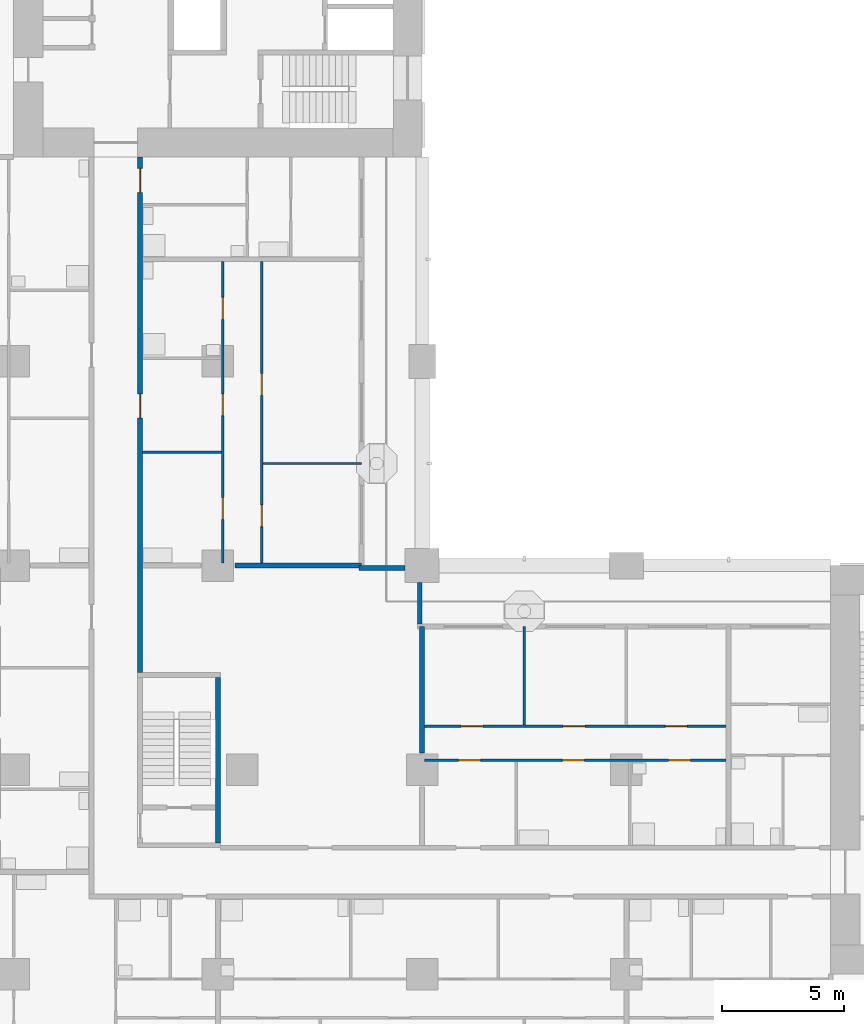
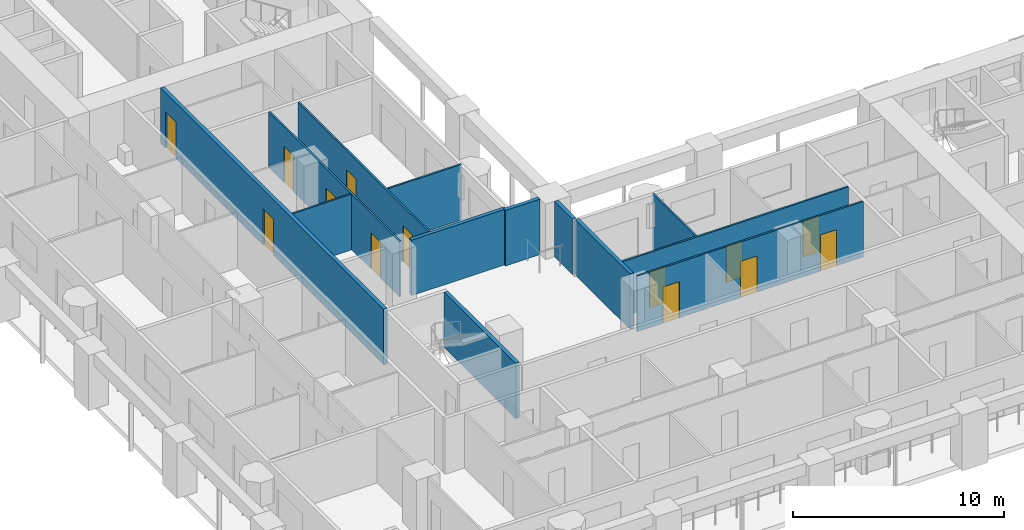
# One storey, part 4 of 20: 13 doors, 13 walls, 13 openings.
"""IFC4 building model written with IfcOpenShell, lengths in metres."""

from ifc_helpers import new_model, si_unit, direction, frame, frame_2d, origin, place, context, subcontext, project, spatial, rectangle, extrude, material, layer, layer_set, type_object, element, fill, save


model = new_model("IFC4")

# Units and contexts
model_context = context("Model", 3, precision=1e-05, world=origin(), true_north=direction((0.0, 1.0)))
body_context = subcontext(model_context, "Body", "Model", "MODEL_VIEW")
ifc_project = project(units=[si_unit("LENGTHUNIT", "METRE"), si_unit("AREAUNIT", "SQUARE_METRE"), si_unit("VOLUMEUNIT", "CUBIC_METRE"), si_unit("PLANEANGLEUNIT", "RADIAN"), si_unit("MASSUNIT", "GRAM", prefix="KILO")], contexts=[model_context])

# Site, building, storey
site_placement = place(None, origin())
site = spatial("IfcSite", under=ifc_project, at=site_placement, CompositionType="ELEMENT")
building_placement = place(site_placement, origin())
building = spatial("IfcBuilding", under=site, at=building_placement, Name="Vermilion Gate Residences", CompositionType="ELEMENT")
storey_placement = place(building_placement, frame((0.0, 0.0, 39.199951171875)))
storey = spatial("IfcBuildingStorey", under=building, at=storey_placement, Name="L08", CompositionType="ELEMENT", Elevation=39.199951171875)

# Walls
ifc_material_1 = material(Name="Insulated steel stud wall with terracotta rainscreen", Category="masonry")
ifc_layer_1 = layer(ifc_material_1, 0.199951171875)
ifc_layer_set_1 = layer_set([ifc_layer_1], Name="EXTERNAL WALL 200 TERRACOTTA RAINSCREEN")
wall_type_1 = type_object("IfcWallType", Name="EXTERNAL WALL 200 TERRACOTTA RAINSCREEN", PredefinedType="SOLIDWALL", material=ifc_layer_set_1)
wall_1_placement = place(storey_placement, frame((25.10009765625, 22.800048828125, 0.0), z_axis=(0.0, 0.0, 1.0), x_axis=(0.0, 1.0, 0.0)))
element("IfcWall", 1, at=wall_1_placement, inside=storey, type_object=wall_type_1, Name="External wall", PredefinedType="SOLIDWALL", context=body_context, shape_type="SweptSolid", body=[
    extrude(rectangle(XDim=1.699951171875, YDim=0.199951171875, at=frame_2d((0.85009765625, 0.0))), origin(), (0.0, 0.0, 1.0), 3.219970703125),
])
wall_2_placement = place(storey_placement, frame((24.5, 25.10009765625, 0.0), z_axis=(0.0, 0.0, 1.0), x_axis=(-1.0, 0.0, 0.0)))
element("IfcWall", 2, at=wall_2_placement, inside=storey, type_object=wall_type_1, Name="External wall", PredefinedType="SOLIDWALL", context=body_context, shape_type="SweptSolid", body=[
    extrude(rectangle(XDim=1.89990234375, YDim=0.199951171875, at=frame_2d((0.949951171875, 0.0))), origin(), (0.0, 0.0, 1.0), 3.219970703125),
])

# Wall, openings, doors
ifc_material_2 = material(Name="Plasterboard on steel studs", Category="steel")
ifc_layer_2 = layer(ifc_material_2, 0.10009765625)
ifc_layer_set_2 = layer_set([ifc_layer_2], Name="PARTITION 100")
wall_type_2 = type_object("IfcWallType", Name="PARTITION 100", PredefinedType="PARTITIONING", material=ifc_layer_set_2)
wall_3_placement = place(storey_placement, frame((25.300048828125, 17.199951171875, 0.0), z_axis=(0.0, 0.0, 1.0), x_axis=(1.0, 0.0, 0.0)))
wall_3 = element("IfcWall", 3, at=wall_3_placement, inside=storey, type_object=wall_type_2, Name="Partition", PredefinedType="PARTITIONING", context=body_context, shape_type="SweptSolid", body=[
    extrude(rectangle(XDim=12.39990234375, YDim=0.10009765625, at=frame_2d((6.199951171875, 0.0))), origin(), (0.0, 0.0, 1.0), 3.219970703125),
])
opening_1_placement = place(wall_3_placement, frame((1.39990234375, 0.0, 0.0)))
opening_1 = element("IfcOpeningElement", 4, at=opening_1_placement, cuts=wall_3, Name="Opening DA07027", PredefinedType="OPENING", context=body_context, shape_type="SweptSolid", body=[
    extrude(rectangle(XDim=0.89990234375, YDim=2.10009765625, at=frame_2d((0.449951171875, 1.050048828125))), frame((0.0, 0.06005859375, 0.0), z_axis=(0.0, -1.0, 0.0), x_axis=(1.0, 0.0, 0.0)), (0.0, 0.0, 1.0), 0.1201171875),
])
opening_2_placement = place(wall_3_placement, frame((5.6669921875, 0.0, 0.0)))
opening_2 = element("IfcOpeningElement", 5, at=opening_2_placement, cuts=wall_3, Name="Opening DA07028", PredefinedType="OPENING", context=body_context, shape_type="SweptSolid", body=[
    extrude(rectangle(XDim=0.89990234375, YDim=2.10009765625, at=frame_2d((0.449951171875, 1.050048828125))), frame((0.0, 0.06005859375, 0.0), z_axis=(0.0, -1.0, 0.0), x_axis=(1.0, 0.0, 0.0)), (0.0, 0.0, 1.0), 0.1201171875),
])
opening_3_placement = place(wall_3_placement, frame((10.032958984375, 0.0, 0.0)))
opening_3 = element("IfcOpeningElement", 6, at=opening_3_placement, cuts=wall_3, Name="Opening DA07029", PredefinedType="OPENING", context=body_context, shape_type="SweptSolid", body=[
    extrude(rectangle(XDim=0.89990234375, YDim=2.10009765625, at=frame_2d((0.449951171875, 1.050048828125))), frame((0.0, 0.06005859375, 0.0), z_axis=(0.0, -1.0, 0.0), x_axis=(1.0, 0.0, 0.0)), (0.0, 0.0, 1.0), 0.1201171875),
])
ifc_material_3 = material(Name="Timber", Category="wood")
door_type_1 = type_object("IfcDoorType", Name="INTERIOR DOOR 900 X 2100", OperationType="SINGLE_SWING_LEFT", PredefinedType="DOOR", material=ifc_material_3)
door_1_placement = place(opening_1_placement, frame((0.89990234375, 0.0, 0.0), z_axis=(0.0, 0.0, 1.0), x_axis=(-1.0, 0.0, 0.0)))
door_1 = element("IfcDoor", 7, at=door_1_placement, inside=storey, type_object=door_type_1, Name="Interior door", OperationType="SINGLE_SWING_RIGHT", OverallHeight=2.10009765625, OverallWidth=0.89990234375, PredefinedType="DOOR", context=body_context, shape_type="SweptSolid", body=[
    extrude(rectangle(XDim=0.89990234375, YDim=2.10009765625, at=frame_2d((0.449951171875, 1.050048828125))), frame((0.0, 0.02490234375, 0.0), z_axis=(0.0, -1.0, 0.0), x_axis=(1.0, 0.0, 0.0)), (0.0, 0.0, 1.0), 0.050048828125),
])
fill(opening_1, door_1)
door_2_placement = place(opening_2_placement, frame((0.89990234375, 0.0, 0.0), z_axis=(0.0, 0.0, 1.0), x_axis=(-1.0, 0.0, 0.0)))
door_2 = element("IfcDoor", 8, at=door_2_placement, inside=storey, type_object=door_type_1, Name="Interior door", OperationType="SINGLE_SWING_LEFT", OverallHeight=2.10009765625, OverallWidth=0.89990234375, PredefinedType="DOOR", context=body_context, shape_type="SweptSolid", body=[
    extrude(rectangle(XDim=0.89990234375, YDim=2.10009765625, at=frame_2d((0.449951171875, 1.050048828125))), frame((0.0, 0.02490234375, 0.0), z_axis=(0.0, -1.0, 0.0), x_axis=(1.0, 0.0, 0.0)), (0.0, 0.0, 1.0), 0.050048828125),
])
fill(opening_2, door_2)
door_3_placement = place(opening_3_placement, frame((0.89990234375, 0.0, 0.0), z_axis=(0.0, 0.0, 1.0), x_axis=(-1.0, 0.0, 0.0)))
door_3 = element("IfcDoor", 9, at=door_3_placement, inside=storey, type_object=door_type_1, Name="Interior door", OperationType="SINGLE_SWING_RIGHT", OverallHeight=2.10009765625, OverallWidth=0.89990234375, PredefinedType="DOOR", context=body_context, shape_type="SweptSolid", body=[
    extrude(rectangle(XDim=0.89990234375, YDim=2.10009765625, at=frame_2d((0.449951171875, 1.050048828125))), frame((0.0, 0.02490234375, 0.0), z_axis=(0.0, -1.0, 0.0), x_axis=(1.0, 0.0, 0.0)), (0.0, 0.0, 1.0), 0.050048828125),
])
fill(opening_3, door_3)

wall_4_placement = place(storey_placement, frame((25.300048828125, 18.60009765625, 0.0), z_axis=(0.0, 0.0, 1.0), x_axis=(1.0, 0.0, 0.0)))
wall_4 = element("IfcWall", 10, at=wall_4_placement, inside=storey, type_object=wall_type_2, Name="Partition", PredefinedType="PARTITIONING", context=body_context, shape_type="SweptSolid", body=[
    extrude(rectangle(XDim=12.39990234375, YDim=0.10009765625, at=frame_2d((6.199951171875, 0.0))), origin(), (0.0, 0.0, 1.0), 3.219970703125),
])
opening_4_placement = place(wall_4_placement, frame((1.5, 0.0, 0.0)))
opening_4 = element("IfcOpeningElement", 11, at=opening_4_placement, cuts=wall_4, Name="Opening DA07032", PredefinedType="OPENING", context=body_context, shape_type="SweptSolid", body=[
    extrude(rectangle(XDim=0.89990234375, YDim=2.10009765625, at=frame_2d((0.449951171875, 1.050048828125))), frame((0.0, 0.06005859375, 0.0), z_axis=(0.0, -1.0, 0.0), x_axis=(1.0, 0.0, 0.0)), (0.0, 0.0, 1.0), 0.1201171875),
])
opening_5_placement = place(wall_4_placement, frame((5.699951171875, 0.0, 0.0)))
opening_5 = element("IfcOpeningElement", 12, at=opening_5_placement, cuts=wall_4, Name="Opening DA07033", PredefinedType="OPENING", context=body_context, shape_type="SweptSolid", body=[
    extrude(rectangle(XDim=0.89990234375, YDim=2.10009765625, at=frame_2d((0.449951171875, 1.050048828125))), frame((0.0, 0.06005859375, 0.0), z_axis=(0.0, -1.0, 0.0), x_axis=(1.0, 0.0, 0.0)), (0.0, 0.0, 1.0), 0.1201171875),
])
opening_6_placement = place(wall_4_placement, frame((9.89990234375, 0.0, 0.0)))
opening_6 = element("IfcOpeningElement", 13, at=opening_6_placement, cuts=wall_4, Name="Opening DA07034", PredefinedType="OPENING", context=body_context, shape_type="SweptSolid", body=[
    extrude(rectangle(XDim=0.89990234375, YDim=2.10009765625, at=frame_2d((0.449951171875, 1.050048828125))), frame((0.0, 0.06005859375, 0.0), z_axis=(0.0, -1.0, 0.0), x_axis=(1.0, 0.0, 0.0)), (0.0, 0.0, 1.0), 0.1201171875),
])
door_4_placement = place(opening_4_placement, origin())
door_4 = element("IfcDoor", 14, at=door_4_placement, inside=storey, type_object=door_type_1, Name="Interior door", OperationType="SINGLE_SWING_LEFT", OverallHeight=2.10009765625, OverallWidth=0.89990234375, PredefinedType="DOOR", context=body_context, shape_type="SweptSolid", body=[
    extrude(rectangle(XDim=0.89990234375, YDim=2.10009765625, at=frame_2d((0.449951171875, 1.050048828125))), frame((0.0, 0.02490234375, 0.0), z_axis=(0.0, -1.0, 0.0), x_axis=(1.0, 0.0, 0.0)), (0.0, 0.0, 1.0), 0.050048828125),
])
fill(opening_4, door_4)
door_5_placement = place(opening_5_placement, origin())
door_5 = element("IfcDoor", 15, at=door_5_placement, inside=storey, type_object=door_type_1, Name="Interior door", OperationType="SINGLE_SWING_LEFT", OverallHeight=2.10009765625, OverallWidth=0.89990234375, PredefinedType="DOOR", context=body_context, shape_type="SweptSolid", body=[
    extrude(rectangle(XDim=0.89990234375, YDim=2.10009765625, at=frame_2d((0.449951171875, 1.050048828125))), frame((0.0, 0.02490234375, 0.0), z_axis=(0.0, -1.0, 0.0), x_axis=(1.0, 0.0, 0.0)), (0.0, 0.0, 1.0), 0.050048828125),
])
fill(opening_5, door_5)
door_6_placement = place(opening_6_placement, origin())
door_6 = element("IfcDoor", 16, at=door_6_placement, inside=storey, type_object=door_type_1, Name="Interior door", OperationType="SINGLE_SWING_LEFT", OverallHeight=2.10009765625, OverallWidth=0.89990234375, PredefinedType="DOOR", context=body_context, shape_type="SweptSolid", body=[
    extrude(rectangle(XDim=0.89990234375, YDim=2.10009765625, at=frame_2d((0.449951171875, 1.050048828125))), frame((0.0, 0.02490234375, 0.0), z_axis=(0.0, -1.0, 0.0), x_axis=(1.0, 0.0, 0.0)), (0.0, 0.0, 1.0), 0.050048828125),
])
fill(opening_6, door_6)

# Walls
wall_5_placement = place(storey_placement, frame((18.64990234375, 29.39990234375, 0.0), z_axis=(0.0, 0.0, 1.0), x_axis=(1.0, 0.0, 0.0)))
element("IfcWall", 17, at=wall_5_placement, inside=storey, type_object=wall_type_2, Name="Partition", PredefinedType="PARTITIONING", context=body_context, shape_type="SweptSolid", body=[
    extrude(rectangle(XDim=4.050048828125, YDim=0.10009765625, at=frame_2d((2.02490234375, 0.0))), origin(), (0.0, 0.0, 1.0), 3.219970703125),
])
wall_6_placement = place(storey_placement, frame((13.699951171875, 29.866943359375, 0.0), z_axis=(0.0, 0.0, 1.0), x_axis=(1.0, 0.0, 0.0)))
element("IfcWall", 18, at=wall_6_placement, inside=storey, type_object=wall_type_2, Name="Partition", PredefinedType="PARTITIONING", context=body_context, shape_type="SweptSolid", body=[
    extrude(rectangle(XDim=3.25, YDim=0.10009765625, at=frame_2d((1.625, 0.0))), origin(), (0.0, 0.0, 1.0), 3.219970703125),
])

# Wall, openings, doors
wall_7_placement = place(storey_placement, frame((17.0, 25.300048828125, 0.0), z_axis=(0.0, 0.0, 1.0), x_axis=(0.0, 1.0, 0.0)))
wall_7 = element("IfcWall", 19, at=wall_7_placement, inside=storey, type_object=wall_type_2, Name="Partition", PredefinedType="PARTITIONING", context=body_context, shape_type="SweptSolid", body=[
    extrude(rectangle(XDim=12.39990234375, YDim=0.10009765625, at=frame_2d((6.199951171875, 0.0))), origin(), (0.0, 0.0, 1.0), 3.219970703125),
])
opening_7_placement = place(wall_7_placement, frame((6.06689453125, 0.0, 0.0)))
opening_7 = element("IfcOpeningElement", 20, at=opening_7_placement, cuts=wall_7, Name="Opening DA07057", PredefinedType="OPENING", context=body_context, shape_type="SweptSolid", body=[
    extrude(rectangle(XDim=0.89990234375, YDim=2.10009765625, at=frame_2d((0.449951171875, 1.050048828125))), frame((0.0, 0.06005859375, 0.0), z_axis=(0.0, -1.0, 0.0), x_axis=(1.0, 0.0, 0.0)), (0.0, 0.0, 1.0), 0.1201171875),
])
opening_8_placement = place(wall_7_placement, frame((1.800048828125, 0.0, 0.0)))
opening_8 = element("IfcOpeningElement", 21, at=opening_8_placement, cuts=wall_7, Name="Opening DA07058", PredefinedType="OPENING", context=body_context, shape_type="SweptSolid", body=[
    extrude(rectangle(XDim=0.89990234375, YDim=2.10009765625, at=frame_2d((0.449951171875, 1.050048828125))), frame((0.0, 0.06005859375, 0.0), z_axis=(0.0, -1.0, 0.0), x_axis=(1.0, 0.0, 0.0)), (0.0, 0.0, 1.0), 0.1201171875),
])
opening_9_placement = place(wall_7_placement, frame((10.032958984375, 0.0, 0.0)))
opening_9 = element("IfcOpeningElement", 22, at=opening_9_placement, cuts=wall_7, Name="Opening DA07059", PredefinedType="OPENING", context=body_context, shape_type="SweptSolid", body=[
    extrude(rectangle(XDim=0.89990234375, YDim=2.10009765625, at=frame_2d((0.449951171875, 1.050048828125))), frame((0.0, 0.06005859375, 0.0), z_axis=(0.0, -1.0, 0.0), x_axis=(1.0, 0.0, 0.0)), (0.0, 0.0, 1.0), 0.1201171875),
])
door_7_placement = place(opening_7_placement, origin())
door_7 = element("IfcDoor", 23, at=door_7_placement, inside=storey, type_object=door_type_1, Name="Interior door", OperationType="SINGLE_SWING_RIGHT", OverallHeight=2.10009765625, OverallWidth=0.89990234375, PredefinedType="DOOR", context=body_context, shape_type="SweptSolid", body=[
    extrude(rectangle(XDim=0.89990234375, YDim=2.10009765625, at=frame_2d((0.449951171875, 1.050048828125))), frame((0.0, 0.02490234375, 0.0), z_axis=(0.0, -1.0, 0.0), x_axis=(1.0, 0.0, 0.0)), (0.0, 0.0, 1.0), 0.050048828125),
])
fill(opening_7, door_7)
door_8_placement = place(opening_8_placement, origin())
door_8 = element("IfcDoor", 24, at=door_8_placement, inside=storey, type_object=door_type_1, Name="Interior door", OperationType="SINGLE_SWING_LEFT", OverallHeight=2.10009765625, OverallWidth=0.89990234375, PredefinedType="DOOR", context=body_context, shape_type="SweptSolid", body=[
    extrude(rectangle(XDim=0.89990234375, YDim=2.10009765625, at=frame_2d((0.449951171875, 1.050048828125))), frame((0.0, 0.02490234375, 0.0), z_axis=(0.0, -1.0, 0.0), x_axis=(1.0, 0.0, 0.0)), (0.0, 0.0, 1.0), 0.050048828125),
])
fill(opening_8, door_8)
door_9_placement = place(opening_9_placement, origin())
door_9 = element("IfcDoor", 25, at=door_9_placement, inside=storey, type_object=door_type_1, Name="Interior door", OperationType="SINGLE_SWING_LEFT", OverallHeight=2.10009765625, OverallWidth=0.89990234375, PredefinedType="DOOR", context=body_context, shape_type="SweptSolid", body=[
    extrude(rectangle(XDim=0.89990234375, YDim=2.10009765625, at=frame_2d((0.449951171875, 1.050048828125))), frame((0.0, 0.02490234375, 0.0), z_axis=(0.0, -1.0, 0.0), x_axis=(1.0, 0.0, 0.0)), (0.0, 0.0, 1.0), 0.050048828125),
])
fill(opening_9, door_9)

wall_8_placement = place(storey_placement, frame((18.60009765625, 25.300048828125, 0.0), z_axis=(0.0, 0.0, 1.0), x_axis=(0.0, 1.0, 0.0)))
wall_8 = element("IfcWall", 26, at=wall_8_placement, inside=storey, type_object=wall_type_2, Name="Partition", PredefinedType="PARTITIONING", context=body_context, shape_type="SweptSolid", body=[
    extrude(rectangle(XDim=12.39990234375, YDim=0.10009765625, at=frame_2d((6.199951171875, 0.0))), origin(), (0.0, 0.0, 1.0), 3.219970703125),
])
opening_10_placement = place(wall_8_placement, frame((1.5, 0.0, 0.0)))
opening_10 = element("IfcOpeningElement", 27, at=opening_10_placement, cuts=wall_8, Name="Opening DA07062", PredefinedType="OPENING", context=body_context, shape_type="SweptSolid", body=[
    extrude(rectangle(XDim=0.89990234375, YDim=2.10009765625, at=frame_2d((0.449951171875, 1.050048828125))), frame((0.0, 0.06005859375, 0.0), z_axis=(0.0, -1.0, 0.0), x_axis=(1.0, 0.0, 0.0)), (0.0, 0.0, 1.0), 0.1201171875),
])
opening_11_placement = place(wall_8_placement, frame((6.89990234375, 0.0, 0.0)))
opening_11 = element("IfcOpeningElement", 28, at=opening_11_placement, cuts=wall_8, Name="Opening DA07063", PredefinedType="OPENING", context=body_context, shape_type="SweptSolid", body=[
    extrude(rectangle(XDim=0.89990234375, YDim=2.10009765625, at=frame_2d((0.449951171875, 1.050048828125))), frame((0.0, 0.06005859375, 0.0), z_axis=(0.0, -1.0, 0.0), x_axis=(1.0, 0.0, 0.0)), (0.0, 0.0, 1.0), 0.1201171875),
])
door_10_placement = place(opening_10_placement, frame((0.89990234375, 0.0, 0.0), z_axis=(0.0, 0.0, 1.0), x_axis=(-1.0, 0.0, 0.0)))
door_10 = element("IfcDoor", 29, at=door_10_placement, inside=storey, type_object=door_type_1, Name="Interior door", OperationType="SINGLE_SWING_RIGHT", OverallHeight=2.10009765625, OverallWidth=0.89990234375, PredefinedType="DOOR", context=body_context, shape_type="SweptSolid", body=[
    extrude(rectangle(XDim=0.89990234375, YDim=2.10009765625, at=frame_2d((0.449951171875, 1.050048828125))), frame((0.0, 0.02490234375, 0.0), z_axis=(0.0, -1.0, 0.0), x_axis=(1.0, 0.0, 0.0)), (0.0, 0.0, 1.0), 0.050048828125),
])
fill(opening_10, door_10)
door_11_placement = place(opening_11_placement, frame((0.89990234375, 0.0, 0.0), z_axis=(0.0, 0.0, 1.0), x_axis=(-1.0, 0.0, 0.0)))
door_11 = element("IfcDoor", 30, at=door_11_placement, inside=storey, type_object=door_type_1, Name="Interior door", OperationType="SINGLE_SWING_RIGHT", OverallHeight=2.10009765625, OverallWidth=0.89990234375, PredefinedType="DOOR", context=body_context, shape_type="SweptSolid", body=[
    extrude(rectangle(XDim=0.89990234375, YDim=2.10009765625, at=frame_2d((0.449951171875, 1.050048828125))), frame((0.0, 0.02490234375, 0.0), z_axis=(0.0, -1.0, 0.0), x_axis=(1.0, 0.0, 0.0)), (0.0, 0.0, 1.0), 0.050048828125),
])
fill(opening_11, door_11)

# Walls
wall_9_placement = place(storey_placement, frame((29.39990234375, 18.64990234375, 0.0), z_axis=(0.0, 0.0, 1.0), x_axis=(0.0, 1.0, 0.0)))
element("IfcWall", 31, at=wall_9_placement, inside=storey, type_object=wall_type_2, Name="Partition", PredefinedType="PARTITIONING", context=body_context, shape_type="SweptSolid", body=[
    extrude(rectangle(XDim=4.050048828125, YDim=0.10009765625, at=frame_2d((2.02490234375, 0.0))), origin(), (0.0, 0.0, 1.0), 3.219970703125),
])
ifc_material_4 = material(Name="Fire-rated plasterboard on steel studs", Category="steel")
ifc_layer_3 = layer(ifc_material_4, 0.199951171875)
ifc_layer_set_3 = layer_set([ifc_layer_3], Name="PARTY WALL 200 EI 120")
wall_type_3 = type_object("IfcWallType", Name="PARTY WALL 200 EI 120", PredefinedType="PARTITIONING", material=ifc_layer_set_3)
wall_10_placement = place(storey_placement, frame((17.5, 25.199951171875, 0.0), z_axis=(0.0, 0.0, 1.0), x_axis=(1.0, 0.0, 0.0)))
element("IfcWall", 32, at=wall_10_placement, inside=storey, type_object=wall_type_3, Name="Party and corridor wall", PredefinedType="PARTITIONING", context=body_context, shape_type="SweptSolid", body=[
    extrude(rectangle(XDim=5.199951171875, YDim=0.199951171875, at=frame_2d((2.60009765625, 0.0))), origin(), (0.0, 0.0, 1.0), 3.219970703125),
])

# Wall, openings, doors
wall_11_placement = place(storey_placement, frame((13.60009765625, 20.800048828125, 0.0), z_axis=(0.0, 0.0, 1.0), x_axis=(0.0, 1.0, 0.0)))
wall_11 = element("IfcWall", 33, at=wall_11_placement, inside=storey, type_object=wall_type_3, Name="Party and corridor wall", PredefinedType="PARTITIONING", context=body_context, shape_type="SweptSolid", body=[
    extrude(rectangle(XDim=21.199951171875, YDim=0.199951171875, at=frame_2d((10.60009765625, 0.0))), origin(), (0.0, 0.0, 1.0), 3.219970703125),
])
opening_12_placement = place(wall_11_placement, frame((10.467041015625, 0.0, 0.0)))
opening_12 = element("IfcOpeningElement", 34, at=opening_12_placement, cuts=wall_11, Name="Opening DA07055", PredefinedType="OPENING", context=body_context, shape_type="SweptSolid", body=[
    extrude(rectangle(XDim=1.0, YDim=2.10009765625, at=frame_2d((0.5, 1.050048828125))), frame((0.0, 0.10986328125, 0.0), z_axis=(0.0, -1.0, 0.0), x_axis=(1.0, 0.0, 0.0)), (0.0, 0.0, 1.0), 0.219970703125),
])
opening_13_placement = place(wall_11_placement, frame((19.739990234375, 0.0, 0.0)))
opening_13 = element("IfcOpeningElement", 35, at=opening_13_placement, cuts=wall_11, Name="Opening DA07056", PredefinedType="OPENING", context=body_context, shape_type="SweptSolid", body=[
    extrude(rectangle(XDim=1.0, YDim=2.10009765625, at=frame_2d((0.5, 1.050048828125))), frame((0.0, 0.10986328125, 0.0), z_axis=(0.0, -1.0, 0.0), x_axis=(1.0, 0.0, 0.0)), (0.0, 0.0, 1.0), 0.219970703125),
])
ifc_material_5 = material(Name="Steel", Category="steel")
door_type_2 = type_object("IfcDoorType", Name="ENTRANCE DOOR 1000 X 2100 FD30", OperationType="SINGLE_SWING_LEFT", PredefinedType="DOOR", material=ifc_material_5)
door_12_placement = place(opening_12_placement, frame((1.0, 0.0, 0.0), z_axis=(0.0, 0.0, 1.0), x_axis=(-1.0, 0.0, 0.0)))
door_12 = element("IfcDoor", 36, at=door_12_placement, inside=storey, type_object=door_type_2, Name="Entrance door", OperationType="SINGLE_SWING_RIGHT", OverallHeight=2.10009765625, OverallWidth=1.0, PredefinedType="DOOR", context=body_context, shape_type="SweptSolid", body=[
    extrude(rectangle(XDim=1.0, YDim=2.10009765625, at=frame_2d((0.5, 1.050048828125))), frame((0.0, 0.02490234375, 0.0), z_axis=(0.0, -1.0, 0.0), x_axis=(1.0, 0.0, 0.0)), (0.0, 0.0, 1.0), 0.050048828125),
])
fill(opening_12, door_12)
door_13_placement = place(opening_13_placement, frame((1.0, 0.0, 0.0), z_axis=(0.0, 0.0, 1.0), x_axis=(-1.0, 0.0, 0.0)))
door_13 = element("IfcDoor", 37, at=door_13_placement, inside=storey, type_object=door_type_2, Name="Entrance door", OperationType="SINGLE_SWING_RIGHT", OverallHeight=2.10009765625, OverallWidth=1.0, PredefinedType="DOOR", context=body_context, shape_type="SweptSolid", body=[
    extrude(rectangle(XDim=1.0, YDim=2.10009765625, at=frame_2d((0.5, 1.050048828125))), frame((0.0, 0.02490234375, 0.0), z_axis=(0.0, -1.0, 0.0), x_axis=(1.0, 0.0, 0.0)), (0.0, 0.0, 1.0), 0.050048828125),
])
fill(opening_13, door_13)

# Walls
wall_12_placement = place(storey_placement, frame((25.199951171875, 17.5, 0.0), z_axis=(0.0, 0.0, 1.0), x_axis=(0.0, 1.0, 0.0)))
element("IfcWall", 38, at=wall_12_placement, inside=storey, type_object=wall_type_3, Name="Party and corridor wall", PredefinedType="PARTITIONING", context=body_context, shape_type="SweptSolid", body=[
    extrude(rectangle(XDim=5.199951171875, YDim=0.199951171875, at=frame_2d((2.60009765625, 0.0))), origin(), (0.0, 0.0, 1.0), 3.219970703125),
])
ifc_material_6 = material(Name="Concrete C60", Category="concrete")
ifc_layer_4 = layer(ifc_material_6, 0.199951171875)
ifc_layer_set_4 = layer_set([ifc_layer_4], Name="RC CORE INTERNAL WALL 200 C60")
wall_type_4 = type_object("IfcWallType", Name="RC CORE INTERNAL WALL 200 C60", PredefinedType="SHEAR", material=ifc_layer_set_4)
wall_13_placement = place(storey_placement, frame((16.800048828125, 13.800048828125, 0.0), z_axis=(0.0, 0.0, 1.0), x_axis=(0.0, 1.0, 0.0)))
element("IfcWall", 39, at=wall_13_placement, inside=storey, type_object=wall_type_4, Name="Core internal wall C08-E", PredefinedType="SHEAR", context=body_context, shape_type="SweptSolid", body=[
    extrude(rectangle(XDim=6.800048828125, YDim=0.199951171875, at=frame_2d((3.39990234375, 0.0))), origin(), (0.0, 0.0, 1.0), 3.219970703125),
])

save(model, "model.ifc")
